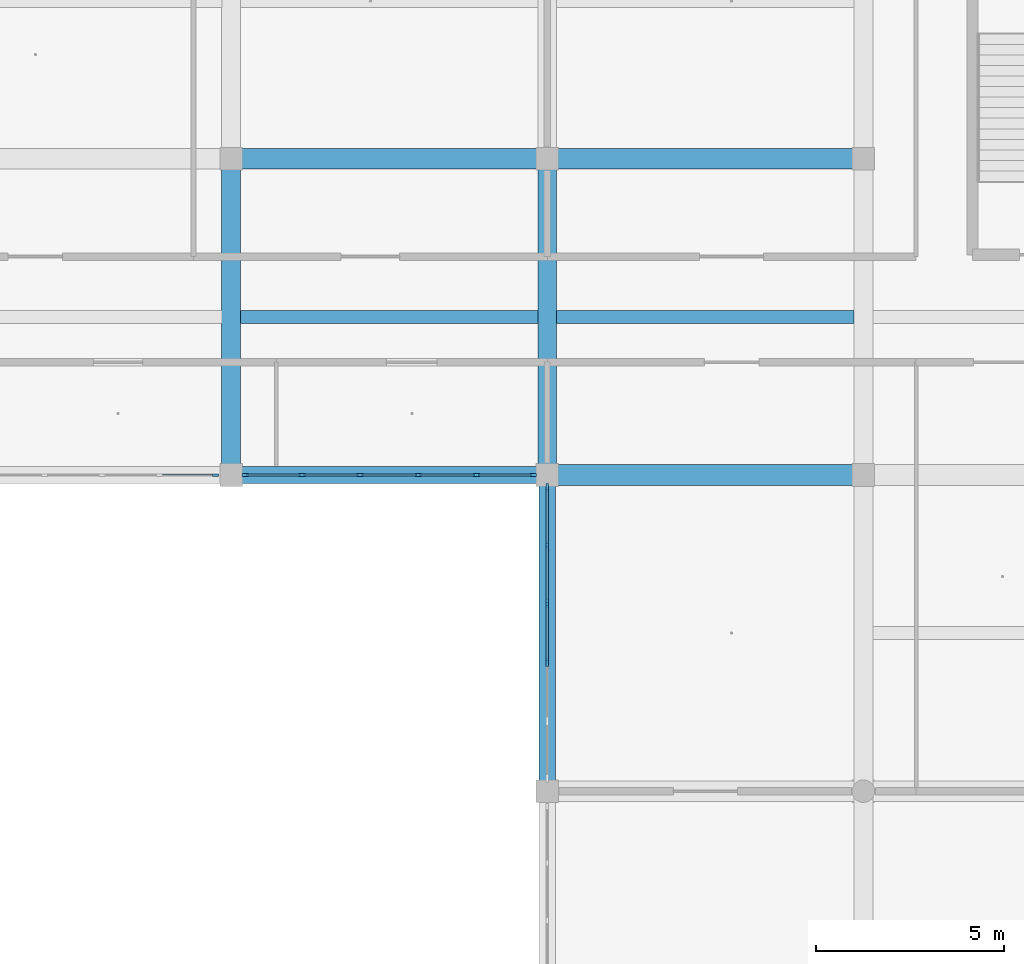
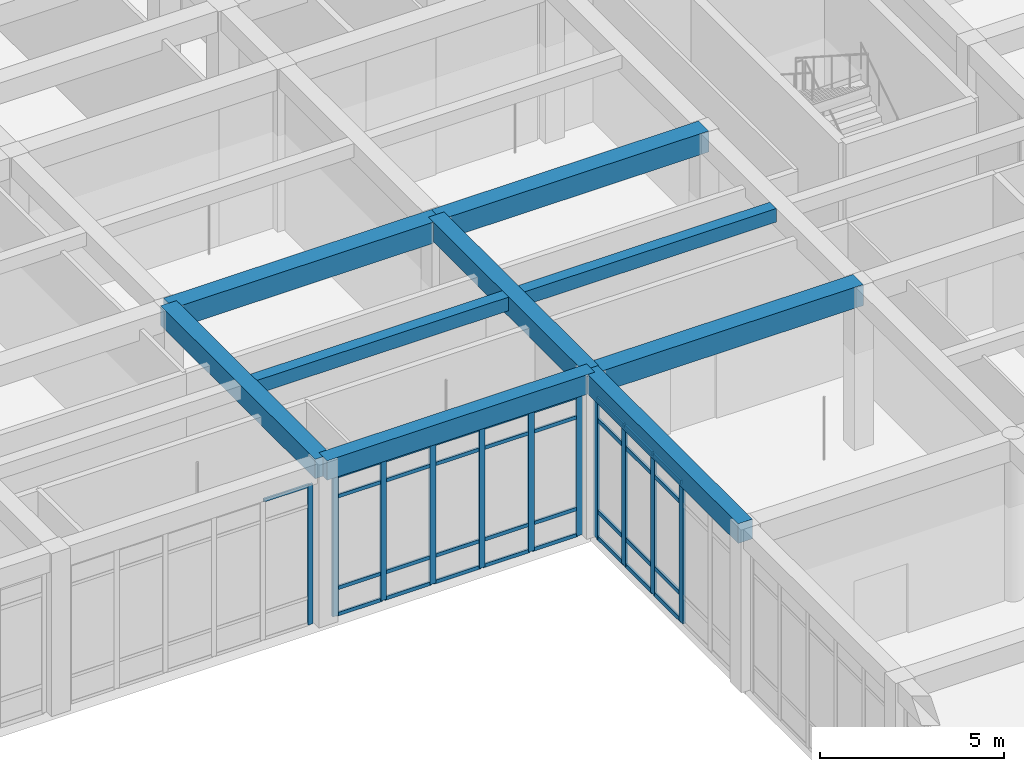
# One storey, part 35 of 157: 44 members, 9 beams, 3 elements without a shape of their own.
"""IFC4 building model written with IfcOpenShell, lengths in metres."""

from ifc_helpers import new_model, si_unit, direction, frame, origin, origin_2d, place, context, subcontext, project, spatial, rectangle, extrude, material, material_profile, profile_set, type_object, element, aggregate, save


model = new_model("IFC4")

# Units and contexts
model_context = context("Model", 3, precision=1e-05, world=origin(), true_north=direction((0.0, 1.0)))
body_context = subcontext(model_context, "Body", "Model", "MODEL_VIEW")
ifc_project = project(units=[si_unit("LENGTHUNIT", "METRE"), si_unit("AREAUNIT", "SQUARE_METRE"), si_unit("VOLUMEUNIT", "CUBIC_METRE"), si_unit("PLANEANGLEUNIT", "RADIAN"), si_unit("MASSUNIT", "GRAM", prefix="KILO")], contexts=[model_context])

# Site, building, storey
site_placement = place(None, origin())
site = spatial("IfcSite", under=ifc_project, at=site_placement, CompositionType="ELEMENT")
building_placement = place(site_placement, origin())
building = spatial("IfcBuilding", under=site, at=building_placement, Name="Varncliffe General Hospital", CompositionType="ELEMENT")
storey_placement = place(building_placement, frame((0.0, 0.0, 5.39990234375)))
storey = spatial("IfcBuildingStorey", under=building, at=storey_placement, Name="L01", CompositionType="ELEMENT", Elevation=5.39990234375)

# Beams
ifc_material_1 = material(Name="Concrete C35/45 (CSA A23.1 35 MPa)", Category="concrete")
ifc_material_profile_1 = material_profile(ifc_material_1, rectangle(XDim=0.5, YDim=0.64990234375, at=origin_2d()), Name="RC 500x650")
ifc_profile_set_1 = profile_set([ifc_material_profile_1], Name="Concrete C35/45 (CSA A23.1 35 MPa)")
beam_type_1 = type_object("IfcBeamType", Name="Beam B29 (Int RC 500x650)", PredefinedType="BEAM", material=ifc_profile_set_1)
for number, where, z_axis, x_axis, name in (
    (1, (50.39990234375, 82.800048828125, 5.0751953125), (0.0, 1.0, 0.0), (-1.0, 0.0, 0.0), "L01 Primary Beam B29-346"),
    (2, (58.800048828125, 82.800048828125, 5.0751953125), (0.0, 1.0, 0.0), (-1.0, 0.0, 0.0), "L01 Primary Beam B29-362"),
):
    element("IfcBeam", number, at=place(storey_placement, frame(where, z_axis=z_axis, x_axis=x_axis)), inside=storey, type_object=beam_type_1, Name=name, PredefinedType="BEAM", context=body_context, shape_type="SweptSolid", body=[
        extrude(rectangle(XDim=0.5, YDim=0.64990234375, at=origin_2d()), origin(), (0.0, 0.0, 1.0), 8.39990234375),
    ])
ifc_material_profile_2 = material_profile(ifc_material_1, rectangle(XDim=0.550048828125, YDim=0.699951171875, at=origin_2d()), Name="RC 550x700")
ifc_profile_set_2 = profile_set([ifc_material_profile_2], Name="Concrete C35/45 (CSA A23.1 35 MPa)")
beam_type_2 = type_object("IfcBeamType", Name="Beam B35 (Int RC 550x700)", PredefinedType="BEAM", material=ifc_profile_set_2)
beam_1_placement = place(storey_placement, frame((58.800048828125, 82.800048828125, 5.050048828125), z_axis=(1.0, 0.0, 0.0), x_axis=(0.0, 1.0, 0.0)))
element("IfcBeam", 3, at=beam_1_placement, inside=storey, type_object=beam_type_2, Name="L01 Primary Beam B35-119", PredefinedType="BEAM", context=body_context, shape_type="SweptSolid", body=[
    extrude(rectangle(XDim=0.550048828125, YDim=0.699951171875, at=origin_2d()), origin(), (0.0, 0.0, 1.0), 8.39990234375),
])
beam_2_placement = place(storey_placement, frame((50.39990234375, 91.199951171875, 5.050048828125), z_axis=(1.0, 0.0, 0.0), x_axis=(0.0, 1.0, 0.0)))
element("IfcBeam", 4, at=beam_2_placement, inside=storey, type_object=beam_type_2, Name="L01 Primary Beam B35-138", PredefinedType="BEAM", context=body_context, shape_type="SweptSolid", body=[
    extrude(rectangle(XDim=0.550048828125, YDim=0.699951171875, at=origin_2d()), origin(), (0.0, 0.0, 1.0), 8.400146484375),
])
beam_3_placement = place(storey_placement, frame((58.800048828125, 91.199951171875, 5.050048828125), z_axis=(1.0, 0.0, 0.0), x_axis=(0.0, 1.0, 0.0)))
element("IfcBeam", 5, at=beam_3_placement, inside=storey, type_object=beam_type_2, Name="L01 Primary Beam B35-139", PredefinedType="BEAM", context=body_context, shape_type="SweptSolid", body=[
    extrude(rectangle(XDim=0.550048828125, YDim=0.699951171875, at=origin_2d()), origin(), (0.0, 0.0, 1.0), 8.39990234375),
])

# Curtain wall, members
ifc_material_2 = material(Name="Triple low-E argon insulated vision glazing", Category="glass")
curtain_wall_type_1 = type_object("IfcCurtainWallType", Name="Unitised Glazed Curtain Wall CW70 (7724x4640)", PredefinedType="USERDEFINED", material=ifc_material_2)
curtain_wall_1_placement = place(storey_placement, origin())
curtain_wall_1 = element("IfcCurtainWall", 6, at=curtain_wall_1_placement, inside=storey, type_object=curtain_wall_type_1, Name="L01 Glazed Curtain Wall CW70-73", ObjectType="GLAZED CURTAIN WALL", PredefinedType="USERDEFINED")
ifc_material_3 = material(Name="Dark bronze thermally broken aluminium framing", Category="aluminium")
ifc_material_profile_3 = material_profile(ifc_material_3, rectangle(XDim=0.074951171875, YDim=0.179931640625, at=origin_2d()), Name="ALU 75x180")
ifc_profile_set_3 = profile_set([ifc_material_profile_3], Name="Dark bronze thermally broken aluminium framing")
member_type_1 = type_object("IfcMemberType", Name="Curtain Wall Mullion CM44 (ALU 75x180)", PredefinedType="MULLION", material=ifc_profile_set_3)
member_1_placement = place(storey_placement, frame((58.424560546875, 82.800048828125, 0.0), z_axis=(0.0, 0.0, 1.0), x_axis=(0.0, -1.0, 0.0)))
member_1 = element("IfcMember", 7, at=member_1_placement, type_object=member_type_1, Name="CW70 mullion 1", PredefinedType="MULLION", context=body_context, shape_type="SweptSolid", body=[
    extrude(rectangle(XDim=0.074951171875, YDim=0.179931640625, at=origin_2d()), origin(), (0.0, 0.0, 1.0), 4.64013671875),
])
member_2_placement = place(storey_placement, frame((56.917236328125, 82.800048828125, 0.0), z_axis=(0.0, 0.0, 1.0), x_axis=(0.0, -1.0, 0.0)))
member_2 = element("IfcMember", 8, at=member_2_placement, type_object=member_type_1, Name="CW70 mullion 2", PredefinedType="MULLION", context=body_context, shape_type="SweptSolid", body=[
    extrude(rectangle(XDim=0.074951171875, YDim=0.179931640625, at=origin_2d()), origin(), (0.0, 0.0, 1.0), 4.64013671875),
])
member_3_placement = place(storey_placement, frame((55.372314453125, 82.800048828125, 0.0), z_axis=(0.0, 0.0, 1.0), x_axis=(0.0, -1.0, 0.0)))
member_3 = element("IfcMember", 9, at=member_3_placement, type_object=member_type_1, Name="CW70 mullion 3", PredefinedType="MULLION", context=body_context, shape_type="SweptSolid", body=[
    extrude(rectangle(XDim=0.074951171875, YDim=0.179931640625, at=origin_2d()), origin(), (0.0, 0.0, 1.0), 4.64013671875),
])
member_4_placement = place(storey_placement, frame((53.82763671875, 82.800048828125, 0.0), z_axis=(0.0, 0.0, 1.0), x_axis=(0.0, -1.0, 0.0)))
member_4 = element("IfcMember", 10, at=member_4_placement, type_object=member_type_1, Name="CW70 mullion 4", PredefinedType="MULLION", context=body_context, shape_type="SweptSolid", body=[
    extrude(rectangle(XDim=0.074951171875, YDim=0.179931640625, at=origin_2d()), origin(), (0.0, 0.0, 1.0), 4.64013671875),
])
member_5_placement = place(storey_placement, frame((52.28271484375, 82.800048828125, 0.0), z_axis=(0.0, 0.0, 1.0), x_axis=(0.0, -1.0, 0.0)))
member_5 = element("IfcMember", 11, at=member_5_placement, type_object=member_type_1, Name="CW70 mullion 5", PredefinedType="MULLION", context=body_context, shape_type="SweptSolid", body=[
    extrude(rectangle(XDim=0.074951171875, YDim=0.179931640625, at=origin_2d()), origin(), (0.0, 0.0, 1.0), 4.64013671875),
])
member_6_placement = place(storey_placement, frame((50.775390625, 82.800048828125, 0.0), z_axis=(0.0, 0.0, 1.0), x_axis=(0.0, -1.0, 0.0)))
member_6 = element("IfcMember", 12, at=member_6_placement, type_object=member_type_1, Name="CW70 mullion 6", PredefinedType="MULLION", context=body_context, shape_type="SweptSolid", body=[
    extrude(rectangle(XDim=0.074951171875, YDim=0.179931640625, at=origin_2d()), origin(), (0.0, 0.0, 1.0), 4.64013671875),
])

# Curtain wall, member
curtain_wall_type_2 = type_object("IfcCurtainWallType", Name="Unitised Glazed Curtain Wall CW27 (7644x4640)", PredefinedType="USERDEFINED", material=ifc_material_2)
curtain_wall_2_placement = place(storey_placement, origin())
curtain_wall_2 = element("IfcCurtainWall", 13, at=curtain_wall_2_placement, inside=storey, type_object=curtain_wall_type_2, Name="L01 Glazed Curtain Wall CW27-74", ObjectType="GLAZED CURTAIN WALL", PredefinedType="USERDEFINED")
ifc_material_profile_4 = material_profile(ifc_material_3, rectangle(XDim=0.06494140625, YDim=0.159912109375, at=origin_2d()), Name="ALU 65x160")
ifc_profile_set_4 = profile_set([ifc_material_profile_4], Name="Dark bronze thermally broken aluminium framing")
member_type_2 = type_object("IfcMemberType", Name="Curtain Wall Mullion CM65 (ALU 65x160)", PredefinedType="MULLION", material=ifc_profile_set_4)
member_7_placement = place(storey_placement, frame((49.989501953125, 82.800048828125, 0.0), z_axis=(0.0, 0.0, 1.0), x_axis=(0.0, -1.0, 0.0)))
member_7 = element("IfcMember", 14, at=member_7_placement, type_object=member_type_2, Name="CW27 mullion 1", PredefinedType="MULLION", context=body_context, shape_type="SweptSolid", body=[
    extrude(rectangle(XDim=0.06494140625, YDim=0.159912109375, at=origin_2d()), origin(), (0.0, 0.0, 1.0), 4.64013671875),
])

# Curtain wall, members
curtain_wall_type_3 = type_object("IfcCurtainWallType", Name="Unitised Glazed Curtain Wall CW85 (7804x4640)", PredefinedType="USERDEFINED", material=ifc_material_2)
curtain_wall_3_placement = place(storey_placement, origin())
curtain_wall_3 = element("IfcCurtainWall", 15, at=curtain_wall_3_placement, inside=storey, type_object=curtain_wall_type_3, Name="L01 Glazed Curtain Wall CW85-90", ObjectType="GLAZED CURTAIN WALL", PredefinedType="USERDEFINED")
ifc_material_profile_5 = material_profile(ifc_material_3, rectangle(XDim=0.074951171875, YDim=0.219970703125, at=origin_2d()), Name="ALU 75x220")
ifc_profile_set_5 = profile_set([ifc_material_profile_5], Name="Dark bronze thermally broken aluminium framing")
member_type_3 = type_object("IfcMemberType", Name="Curtain Wall Mullion CM74 (ALU 75x220)", PredefinedType="MULLION", material=ifc_profile_set_5)
member_8_placement = place(storey_placement, frame((58.800048828125, 77.819580078125, 0.0), z_axis=(0.0, 0.0, 1.0), x_axis=(-1.0, 0.0, 0.0)))
member_8 = element("IfcMember", 16, at=member_8_placement, type_object=member_type_3, Name="CW85 mullion 3", PredefinedType="MULLION", context=body_context, shape_type="SweptSolid", body=[
    extrude(rectangle(XDim=0.074951171875, YDim=0.219970703125, at=origin_2d()), origin(), (0.0, 0.0, 1.0), 4.64013671875),
])
member_9_placement = place(storey_placement, frame((58.800048828125, 79.38037109375, 0.0), z_axis=(0.0, 0.0, 1.0), x_axis=(-1.0, 0.0, 0.0)))
member_9 = element("IfcMember", 17, at=member_9_placement, type_object=member_type_3, Name="CW85 mullion 4", PredefinedType="MULLION", context=body_context, shape_type="SweptSolid", body=[
    extrude(rectangle(XDim=0.074951171875, YDim=0.219970703125, at=origin_2d()), origin(), (0.0, 0.0, 1.0), 4.64013671875),
])
member_10_placement = place(storey_placement, frame((58.800048828125, 80.941162109375, 0.0), z_axis=(0.0, 0.0, 1.0), x_axis=(-1.0, 0.0, 0.0)))
member_10 = element("IfcMember", 18, at=member_10_placement, type_object=member_type_3, Name="CW85 mullion 5", PredefinedType="MULLION", context=body_context, shape_type="SweptSolid", body=[
    extrude(rectangle(XDim=0.074951171875, YDim=0.219970703125, at=origin_2d()), origin(), (0.0, 0.0, 1.0), 4.64013671875),
])
member_11_placement = place(storey_placement, frame((58.800048828125, 82.464599609375, 0.0), z_axis=(0.0, 0.0, 1.0), x_axis=(-1.0, 0.0, 0.0)))
member_11 = element("IfcMember", 19, at=member_11_placement, type_object=member_type_3, Name="CW85 mullion 6", PredefinedType="MULLION", context=body_context, shape_type="SweptSolid", body=[
    extrude(rectangle(XDim=0.074951171875, YDim=0.219970703125, at=origin_2d()), origin(), (0.0, 0.0, 1.0), 4.64013671875),
])

# Member
ifc_material_profile_6 = material_profile(ifc_material_3, rectangle(XDim=0.06005859375, YDim=0.1201171875, at=origin_2d()), Name="ALU 60x120")
ifc_profile_set_6 = profile_set([ifc_material_profile_6], Name="Dark bronze thermally broken aluminium framing")
member_type_4 = type_object("IfcMemberType", Name="Curtain Wall Transom CT14 (ALU 60x120)", PredefinedType="USERDEFINED", material=ifc_profile_set_6)
member_12_placement = place(storey_placement, frame((58.386962890625, 82.800048828125, 0.030029296875), z_axis=(-1.0, 0.0, 0.0), x_axis=(0.0, -1.0, 0.0)))
member_12 = element("IfcMember", 20, at=member_12_placement, type_object=member_type_4, Name="CW70 transom 1.1", ObjectType="TRANSOM", PredefinedType="USERDEFINED", context=body_context, shape_type="SweptSolid", body=[
    extrude(rectangle(XDim=0.06005859375, YDim=0.1201171875, at=origin_2d()), origin(), (0.0, 0.0, 1.0), 1.432373046875),
])

member_13_placement = place(storey_placement, frame((58.386962890625, 82.800048828125, 0.900146484375), z_axis=(-1.0, 0.0, 0.0), x_axis=(0.0, -1.0, 0.0)))
member_13 = element("IfcMember", 21, at=member_13_placement, type_object=member_type_4, Name="CW70 transom 1.2", ObjectType="TRANSOM", PredefinedType="USERDEFINED", context=body_context, shape_type="SweptSolid", body=[
    extrude(rectangle(XDim=0.06005859375, YDim=0.1201171875, at=origin_2d()), origin(), (0.0, 0.0, 1.0), 1.432373046875),
])

member_14_placement = place(storey_placement, frame((58.386962890625, 82.800048828125, 3.940185546875), z_axis=(-1.0, 0.0, 0.0), x_axis=(0.0, -1.0, 0.0)))
member_14 = element("IfcMember", 22, at=member_14_placement, type_object=member_type_4, Name="CW70 transom 1.3", ObjectType="TRANSOM", PredefinedType="USERDEFINED", context=body_context, shape_type="SweptSolid", body=[
    extrude(rectangle(XDim=0.06005859375, YDim=0.1201171875, at=origin_2d()), origin(), (0.0, 0.0, 1.0), 1.432373046875),
])

member_15_placement = place(storey_placement, frame((58.386962890625, 82.800048828125, 4.610107421875), z_axis=(-1.0, 0.0, 0.0), x_axis=(0.0, -1.0, 0.0)))
member_15 = element("IfcMember", 23, at=member_15_placement, type_object=member_type_4, Name="CW70 transom 1.4", ObjectType="TRANSOM", PredefinedType="USERDEFINED", context=body_context, shape_type="SweptSolid", body=[
    extrude(rectangle(XDim=0.06005859375, YDim=0.1201171875, at=origin_2d()), origin(), (0.0, 0.0, 1.0), 1.432373046875),
])

member_16_placement = place(storey_placement, frame((56.879638671875, 82.800048828125, 0.030029296875), z_axis=(-1.0, 0.0, 0.0), x_axis=(0.0, -1.0, 0.0)))
member_16 = element("IfcMember", 24, at=member_16_placement, type_object=member_type_4, Name="CW70 transom 2.1", ObjectType="TRANSOM", PredefinedType="USERDEFINED", context=body_context, shape_type="SweptSolid", body=[
    extrude(rectangle(XDim=0.06005859375, YDim=0.1201171875, at=origin_2d()), origin(), (0.0, 0.0, 1.0), 1.4697265625),
])

member_17_placement = place(storey_placement, frame((56.879638671875, 82.800048828125, 0.900146484375), z_axis=(-1.0, 0.0, 0.0), x_axis=(0.0, -1.0, 0.0)))
member_17 = element("IfcMember", 25, at=member_17_placement, type_object=member_type_4, Name="CW70 transom 2.2", ObjectType="TRANSOM", PredefinedType="USERDEFINED", context=body_context, shape_type="SweptSolid", body=[
    extrude(rectangle(XDim=0.06005859375, YDim=0.1201171875, at=origin_2d()), origin(), (0.0, 0.0, 1.0), 1.4697265625),
])

member_18_placement = place(storey_placement, frame((56.879638671875, 82.800048828125, 3.940185546875), z_axis=(-1.0, 0.0, 0.0), x_axis=(0.0, -1.0, 0.0)))
member_18 = element("IfcMember", 26, at=member_18_placement, type_object=member_type_4, Name="CW70 transom 2.3", ObjectType="TRANSOM", PredefinedType="USERDEFINED", context=body_context, shape_type="SweptSolid", body=[
    extrude(rectangle(XDim=0.06005859375, YDim=0.1201171875, at=origin_2d()), origin(), (0.0, 0.0, 1.0), 1.4697265625),
])

member_19_placement = place(storey_placement, frame((56.879638671875, 82.800048828125, 4.610107421875), z_axis=(-1.0, 0.0, 0.0), x_axis=(0.0, -1.0, 0.0)))
member_19 = element("IfcMember", 27, at=member_19_placement, type_object=member_type_4, Name="CW70 transom 2.4", ObjectType="TRANSOM", PredefinedType="USERDEFINED", context=body_context, shape_type="SweptSolid", body=[
    extrude(rectangle(XDim=0.06005859375, YDim=0.1201171875, at=origin_2d()), origin(), (0.0, 0.0, 1.0), 1.4697265625),
])

member_20_placement = place(storey_placement, frame((55.3349609375, 82.800048828125, 0.030029296875), z_axis=(-1.0, 0.0, 0.0), x_axis=(0.0, -1.0, 0.0)))
member_20 = element("IfcMember", 28, at=member_20_placement, type_object=member_type_4, Name="CW70 transom 3.1", ObjectType="TRANSOM", PredefinedType="USERDEFINED", context=body_context, shape_type="SweptSolid", body=[
    extrude(rectangle(XDim=0.06005859375, YDim=0.1201171875, at=origin_2d()), origin(), (0.0, 0.0, 1.0), 1.469970703125),
])

member_21_placement = place(storey_placement, frame((55.3349609375, 82.800048828125, 0.900146484375), z_axis=(-1.0, 0.0, 0.0), x_axis=(0.0, -1.0, 0.0)))
member_21 = element("IfcMember", 29, at=member_21_placement, type_object=member_type_4, Name="CW70 transom 3.2", ObjectType="TRANSOM", PredefinedType="USERDEFINED", context=body_context, shape_type="SweptSolid", body=[
    extrude(rectangle(XDim=0.06005859375, YDim=0.1201171875, at=origin_2d()), origin(), (0.0, 0.0, 1.0), 1.469970703125),
])

member_22_placement = place(storey_placement, frame((55.3349609375, 82.800048828125, 3.940185546875), z_axis=(-1.0, 0.0, 0.0), x_axis=(0.0, -1.0, 0.0)))
member_22 = element("IfcMember", 30, at=member_22_placement, type_object=member_type_4, Name="CW70 transom 3.3", ObjectType="TRANSOM", PredefinedType="USERDEFINED", context=body_context, shape_type="SweptSolid", body=[
    extrude(rectangle(XDim=0.06005859375, YDim=0.1201171875, at=origin_2d()), origin(), (0.0, 0.0, 1.0), 1.469970703125),
])

member_23_placement = place(storey_placement, frame((55.3349609375, 82.800048828125, 4.610107421875), z_axis=(-1.0, 0.0, 0.0), x_axis=(0.0, -1.0, 0.0)))
member_23 = element("IfcMember", 31, at=member_23_placement, type_object=member_type_4, Name="CW70 transom 3.4", ObjectType="TRANSOM", PredefinedType="USERDEFINED", context=body_context, shape_type="SweptSolid", body=[
    extrude(rectangle(XDim=0.06005859375, YDim=0.1201171875, at=origin_2d()), origin(), (0.0, 0.0, 1.0), 1.469970703125),
])

member_24_placement = place(storey_placement, frame((53.7900390625, 82.800048828125, 0.030029296875), z_axis=(-1.0, 0.0, 0.0), x_axis=(0.0, -1.0, 0.0)))
member_24 = element("IfcMember", 32, at=member_24_placement, type_object=member_type_4, Name="CW70 transom 4.1", ObjectType="TRANSOM", PredefinedType="USERDEFINED", context=body_context, shape_type="SweptSolid", body=[
    extrude(rectangle(XDim=0.06005859375, YDim=0.1201171875, at=origin_2d()), origin(), (0.0, 0.0, 1.0), 1.4697265625),
])

member_25_placement = place(storey_placement, frame((53.7900390625, 82.800048828125, 0.900146484375), z_axis=(-1.0, 0.0, 0.0), x_axis=(0.0, -1.0, 0.0)))
member_25 = element("IfcMember", 33, at=member_25_placement, type_object=member_type_4, Name="CW70 transom 4.2", ObjectType="TRANSOM", PredefinedType="USERDEFINED", context=body_context, shape_type="SweptSolid", body=[
    extrude(rectangle(XDim=0.06005859375, YDim=0.1201171875, at=origin_2d()), origin(), (0.0, 0.0, 1.0), 1.4697265625),
])

member_26_placement = place(storey_placement, frame((53.7900390625, 82.800048828125, 3.940185546875), z_axis=(-1.0, 0.0, 0.0), x_axis=(0.0, -1.0, 0.0)))
member_26 = element("IfcMember", 34, at=member_26_placement, type_object=member_type_4, Name="CW70 transom 4.3", ObjectType="TRANSOM", PredefinedType="USERDEFINED", context=body_context, shape_type="SweptSolid", body=[
    extrude(rectangle(XDim=0.06005859375, YDim=0.1201171875, at=origin_2d()), origin(), (0.0, 0.0, 1.0), 1.4697265625),
])

member_27_placement = place(storey_placement, frame((53.7900390625, 82.800048828125, 4.610107421875), z_axis=(-1.0, 0.0, 0.0), x_axis=(0.0, -1.0, 0.0)))
member_27 = element("IfcMember", 35, at=member_27_placement, type_object=member_type_4, Name="CW70 transom 4.4", ObjectType="TRANSOM", PredefinedType="USERDEFINED", context=body_context, shape_type="SweptSolid", body=[
    extrude(rectangle(XDim=0.06005859375, YDim=0.1201171875, at=origin_2d()), origin(), (0.0, 0.0, 1.0), 1.4697265625),
])

member_28_placement = place(storey_placement, frame((52.245361328125, 82.800048828125, 0.030029296875), z_axis=(-1.0, 0.0, 0.0), x_axis=(0.0, -1.0, 0.0)))
member_28 = element("IfcMember", 36, at=member_28_placement, type_object=member_type_4, Name="CW70 transom 5.1", ObjectType="TRANSOM", PredefinedType="USERDEFINED", context=body_context, shape_type="SweptSolid", body=[
    extrude(rectangle(XDim=0.06005859375, YDim=0.1201171875, at=origin_2d()), origin(), (0.0, 0.0, 1.0), 1.432373046875),
])

member_29_placement = place(storey_placement, frame((52.245361328125, 82.800048828125, 0.900146484375), z_axis=(-1.0, 0.0, 0.0), x_axis=(0.0, -1.0, 0.0)))
member_29 = element("IfcMember", 37, at=member_29_placement, type_object=member_type_4, Name="CW70 transom 5.2", ObjectType="TRANSOM", PredefinedType="USERDEFINED", context=body_context, shape_type="SweptSolid", body=[
    extrude(rectangle(XDim=0.06005859375, YDim=0.1201171875, at=origin_2d()), origin(), (0.0, 0.0, 1.0), 1.432373046875),
])

member_30_placement = place(storey_placement, frame((52.245361328125, 82.800048828125, 3.940185546875), z_axis=(-1.0, 0.0, 0.0), x_axis=(0.0, -1.0, 0.0)))
member_30 = element("IfcMember", 38, at=member_30_placement, type_object=member_type_4, Name="CW70 transom 5.3", ObjectType="TRANSOM", PredefinedType="USERDEFINED", context=body_context, shape_type="SweptSolid", body=[
    extrude(rectangle(XDim=0.06005859375, YDim=0.1201171875, at=origin_2d()), origin(), (0.0, 0.0, 1.0), 1.432373046875),
])

member_31_placement = place(storey_placement, frame((52.245361328125, 82.800048828125, 4.610107421875), z_axis=(-1.0, 0.0, 0.0), x_axis=(0.0, -1.0, 0.0)))
member_31 = element("IfcMember", 39, at=member_31_placement, type_object=member_type_4, Name="CW70 transom 5.4", ObjectType="TRANSOM", PredefinedType="USERDEFINED", context=body_context, shape_type="SweptSolid", body=[
    extrude(rectangle(XDim=0.06005859375, YDim=0.1201171875, at=origin_2d()), origin(), (0.0, 0.0, 1.0), 1.432373046875),
])

aggregate(curtain_wall_1, [member_1, member_2, member_3, member_4, member_5, member_6, member_12, member_13, member_14, member_15, member_16, member_17, member_18, member_19, member_20, member_21, member_22, member_23, member_24, member_25, member_26, member_27, member_28, member_29, member_30, member_31])

ifc_material_profile_7 = material_profile(ifc_material_3, rectangle(XDim=0.06005859375, YDim=0.10009765625, at=origin_2d()), Name="ALU 60x100")
ifc_profile_set_7 = profile_set([ifc_material_profile_7], Name="Dark bronze thermally broken aluminium framing")
member_type_5 = type_object("IfcMemberType", Name="Curtain Wall Transom CT18 (ALU 60x100)", PredefinedType="USERDEFINED", material=ifc_profile_set_7)
member_32_placement = place(storey_placement, frame((49.95703125, 82.800048828125, 4.610107421875), z_axis=(-1.0, 0.0, 0.0), x_axis=(0.0, -1.0, 0.0)))
member_32 = element("IfcMember", 40, at=member_32_placement, type_object=member_type_5, Name="CW27 transom 1.4", ObjectType="TRANSOM", PredefinedType="USERDEFINED", context=body_context, shape_type="SweptSolid", body=[
    extrude(rectangle(XDim=0.06005859375, YDim=0.10009765625, at=origin_2d()), origin(), (0.0, 0.0, 1.0), 1.431396484375),
])

aggregate(curtain_wall_2, [member_7, member_32])

ifc_material_profile_8 = material_profile(ifc_material_3, rectangle(XDim=0.06494140625, YDim=0.139892578125, at=origin_2d()), Name="ALU 65x140")
ifc_profile_set_8 = profile_set([ifc_material_profile_8], Name="Dark bronze thermally broken aluminium framing")
member_type_6 = type_object("IfcMemberType", Name="Curtain Wall Transom CT69 (ALU 65x140)", PredefinedType="USERDEFINED", material=ifc_profile_set_8)
member_33_placement = place(storey_placement, frame((58.800048828125, 77.857177734375, 0.03271484375), z_axis=(0.0, 1.0, 0.0), x_axis=(-1.0, 0.0, 0.0)))
member_33 = element("IfcMember", 41, at=member_33_placement, type_object=member_type_6, Name="CW85 transom 3.1", ObjectType="TRANSOM", PredefinedType="USERDEFINED", context=body_context, shape_type="SweptSolid", body=[
    extrude(rectangle(XDim=0.06494140625, YDim=0.139892578125, at=origin_2d()), origin(), (0.0, 0.0, 1.0), 1.48583984375),
])

member_34_placement = place(storey_placement, frame((58.800048828125, 77.857177734375, 0.900146484375), z_axis=(0.0, 1.0, 0.0), x_axis=(-1.0, 0.0, 0.0)))
member_34 = element("IfcMember", 42, at=member_34_placement, type_object=member_type_6, Name="CW85 transom 3.2", ObjectType="TRANSOM", PredefinedType="USERDEFINED", context=body_context, shape_type="SweptSolid", body=[
    extrude(rectangle(XDim=0.06494140625, YDim=0.139892578125, at=origin_2d()), origin(), (0.0, 0.0, 1.0), 1.48583984375),
])

member_35_placement = place(storey_placement, frame((58.800048828125, 77.857177734375, 3.940185546875), z_axis=(0.0, 1.0, 0.0), x_axis=(-1.0, 0.0, 0.0)))
member_35 = element("IfcMember", 43, at=member_35_placement, type_object=member_type_6, Name="CW85 transom 3.3", ObjectType="TRANSOM", PredefinedType="USERDEFINED", context=body_context, shape_type="SweptSolid", body=[
    extrude(rectangle(XDim=0.06494140625, YDim=0.139892578125, at=origin_2d()), origin(), (0.0, 0.0, 1.0), 1.48583984375),
])

member_36_placement = place(storey_placement, frame((58.800048828125, 77.857177734375, 4.607666015625), z_axis=(0.0, 1.0, 0.0), x_axis=(-1.0, 0.0, 0.0)))
member_36 = element("IfcMember", 44, at=member_36_placement, type_object=member_type_6, Name="CW85 transom 3.4", ObjectType="TRANSOM", PredefinedType="USERDEFINED", context=body_context, shape_type="SweptSolid", body=[
    extrude(rectangle(XDim=0.06494140625, YDim=0.139892578125, at=origin_2d()), origin(), (0.0, 0.0, 1.0), 1.48583984375),
])

member_37_placement = place(storey_placement, frame((58.800048828125, 79.41796875, 0.03271484375), z_axis=(0.0, 1.0, 0.0), x_axis=(-1.0, 0.0, 0.0)))
member_37 = element("IfcMember", 45, at=member_37_placement, type_object=member_type_6, Name="CW85 transom 4.1", ObjectType="TRANSOM", PredefinedType="USERDEFINED", context=body_context, shape_type="SweptSolid", body=[
    extrude(rectangle(XDim=0.06494140625, YDim=0.139892578125, at=origin_2d()), origin(), (0.0, 0.0, 1.0), 1.48583984375),
])

member_38_placement = place(storey_placement, frame((58.800048828125, 79.41796875, 0.900146484375), z_axis=(0.0, 1.0, 0.0), x_axis=(-1.0, 0.0, 0.0)))
member_38 = element("IfcMember", 46, at=member_38_placement, type_object=member_type_6, Name="CW85 transom 4.2", ObjectType="TRANSOM", PredefinedType="USERDEFINED", context=body_context, shape_type="SweptSolid", body=[
    extrude(rectangle(XDim=0.06494140625, YDim=0.139892578125, at=origin_2d()), origin(), (0.0, 0.0, 1.0), 1.48583984375),
])

member_39_placement = place(storey_placement, frame((58.800048828125, 79.41796875, 3.940185546875), z_axis=(0.0, 1.0, 0.0), x_axis=(-1.0, 0.0, 0.0)))
member_39 = element("IfcMember", 47, at=member_39_placement, type_object=member_type_6, Name="CW85 transom 4.3", ObjectType="TRANSOM", PredefinedType="USERDEFINED", context=body_context, shape_type="SweptSolid", body=[
    extrude(rectangle(XDim=0.06494140625, YDim=0.139892578125, at=origin_2d()), origin(), (0.0, 0.0, 1.0), 1.48583984375),
])

member_40_placement = place(storey_placement, frame((58.800048828125, 79.41796875, 4.607666015625), z_axis=(0.0, 1.0, 0.0), x_axis=(-1.0, 0.0, 0.0)))
member_40 = element("IfcMember", 48, at=member_40_placement, type_object=member_type_6, Name="CW85 transom 4.4", ObjectType="TRANSOM", PredefinedType="USERDEFINED", context=body_context, shape_type="SweptSolid", body=[
    extrude(rectangle(XDim=0.06494140625, YDim=0.139892578125, at=origin_2d()), origin(), (0.0, 0.0, 1.0), 1.48583984375),
])

member_41_placement = place(storey_placement, frame((58.800048828125, 80.978759765625, 0.03271484375), z_axis=(0.0, 1.0, 0.0), x_axis=(-1.0, 0.0, 0.0)))
member_41 = element("IfcMember", 49, at=member_41_placement, type_object=member_type_6, Name="CW85 transom 5.1", ObjectType="TRANSOM", PredefinedType="USERDEFINED", context=body_context, shape_type="SweptSolid", body=[
    extrude(rectangle(XDim=0.06494140625, YDim=0.139892578125, at=origin_2d()), origin(), (0.0, 0.0, 1.0), 1.4482421875),
])

member_42_placement = place(storey_placement, frame((58.800048828125, 80.978759765625, 0.900146484375), z_axis=(0.0, 1.0, 0.0), x_axis=(-1.0, 0.0, 0.0)))
member_42 = element("IfcMember", 50, at=member_42_placement, type_object=member_type_6, Name="CW85 transom 5.2", ObjectType="TRANSOM", PredefinedType="USERDEFINED", context=body_context, shape_type="SweptSolid", body=[
    extrude(rectangle(XDim=0.06494140625, YDim=0.139892578125, at=origin_2d()), origin(), (0.0, 0.0, 1.0), 1.4482421875),
])

member_43_placement = place(storey_placement, frame((58.800048828125, 80.978759765625, 3.940185546875), z_axis=(0.0, 1.0, 0.0), x_axis=(-1.0, 0.0, 0.0)))
member_43 = element("IfcMember", 51, at=member_43_placement, type_object=member_type_6, Name="CW85 transom 5.3", ObjectType="TRANSOM", PredefinedType="USERDEFINED", context=body_context, shape_type="SweptSolid", body=[
    extrude(rectangle(XDim=0.06494140625, YDim=0.139892578125, at=origin_2d()), origin(), (0.0, 0.0, 1.0), 1.4482421875),
])

member_44_placement = place(storey_placement, frame((58.800048828125, 80.978759765625, 4.607666015625), z_axis=(0.0, 1.0, 0.0), x_axis=(-1.0, 0.0, 0.0)))
member_44 = element("IfcMember", 52, at=member_44_placement, type_object=member_type_6, Name="CW85 transom 5.4", ObjectType="TRANSOM", PredefinedType="USERDEFINED", context=body_context, shape_type="SweptSolid", body=[
    extrude(rectangle(XDim=0.06494140625, YDim=0.139892578125, at=origin_2d()), origin(), (0.0, 0.0, 1.0), 1.4482421875),
])

aggregate(curtain_wall_3, [member_8, member_9, member_10, member_11, member_33, member_34, member_35, member_36, member_37, member_38, member_39, member_40, member_41, member_42, member_43, member_44])

# Beams
ifc_material_profile_9 = material_profile(ifc_material_1, rectangle(XDim=0.35009765625, YDim=0.449951171875, at=origin_2d()), Name="RC 350x450")
ifc_profile_set_9 = profile_set([ifc_material_profile_9], Name="Concrete C35/45 (CSA A23.1 35 MPa)")
beam_type_3 = type_object("IfcBeamType", Name="Joist J55 (Int RC 350x450)", PredefinedType="JOIST", material=ifc_profile_set_9)
beam_4_placement = place(storey_placement, frame((50.64794921875, 87.0, 5.175048828125), z_axis=(1.0, 0.0, 0.0), x_axis=(0.0, 1.0, 0.0)))
element("IfcBeam", 53, at=beam_4_placement, inside=storey, type_object=beam_type_3, Name="L01 Secondary Floor Rib J55-28", PredefinedType="JOIST", context=body_context, shape_type="SweptSolid", body=[
    extrude(rectangle(XDim=0.35009765625, YDim=0.449951171875, at=origin_2d()), origin(), (0.0, 0.0, 1.0), 7.904052734375),
])
beam_5_placement = place(storey_placement, frame((59.048095703125, 87.0, 5.175048828125), z_axis=(1.0, 0.0, 0.0), x_axis=(0.0, 1.0, 0.0)))
element("IfcBeam", 54, at=beam_5_placement, inside=storey, type_object=beam_type_3, Name="L01 Secondary Floor Rib J55-30", PredefinedType="JOIST", context=body_context, shape_type="SweptSolid", body=[
    extrude(rectangle(XDim=0.35009765625, YDim=0.449951171875, at=origin_2d()), origin(), (0.0, 0.0, 1.0), 7.90380859375),
])
ifc_material_profile_10 = material_profile(ifc_material_1, rectangle(XDim=0.449951171875, YDim=0.64990234375, at=origin_2d()), Name="RC 450x650")
ifc_profile_set_10 = profile_set([ifc_material_profile_10], Name="Concrete C35/45 (CSA A23.1 35 MPa)")
beam_type_4 = type_object("IfcBeamType", Name="Spandrel SP38 (Ext RC 450x650B)", PredefinedType="SPANDREL", material=ifc_profile_set_10)
for number, where, z_axis, x_axis, name in (
    (55, (50.39990234375, 82.800048828125, 5.0751953125), (1.0, 0.0, 0.0), (0.0, 1.0, 0.0), "L01 Spandrel Beam SP38-118"),
    (56, (58.800048828125, 74.39990234375, 5.0751953125), (0.0, 1.0, 0.0), (-1.0, 0.0, 0.0), "L01 Spandrel Beam SP38-361"),
):
    element("IfcBeam", number, at=place(storey_placement, frame(where, z_axis=z_axis, x_axis=x_axis)), inside=storey, type_object=beam_type_4, Name=name, PredefinedType="SPANDREL", context=body_context, shape_type="SweptSolid", body=[
        extrude(rectangle(XDim=0.449951171875, YDim=0.64990234375, at=origin_2d()), origin(), (0.0, 0.0, 1.0), 8.400146484375),
    ])

save(model, "model.ifc")
